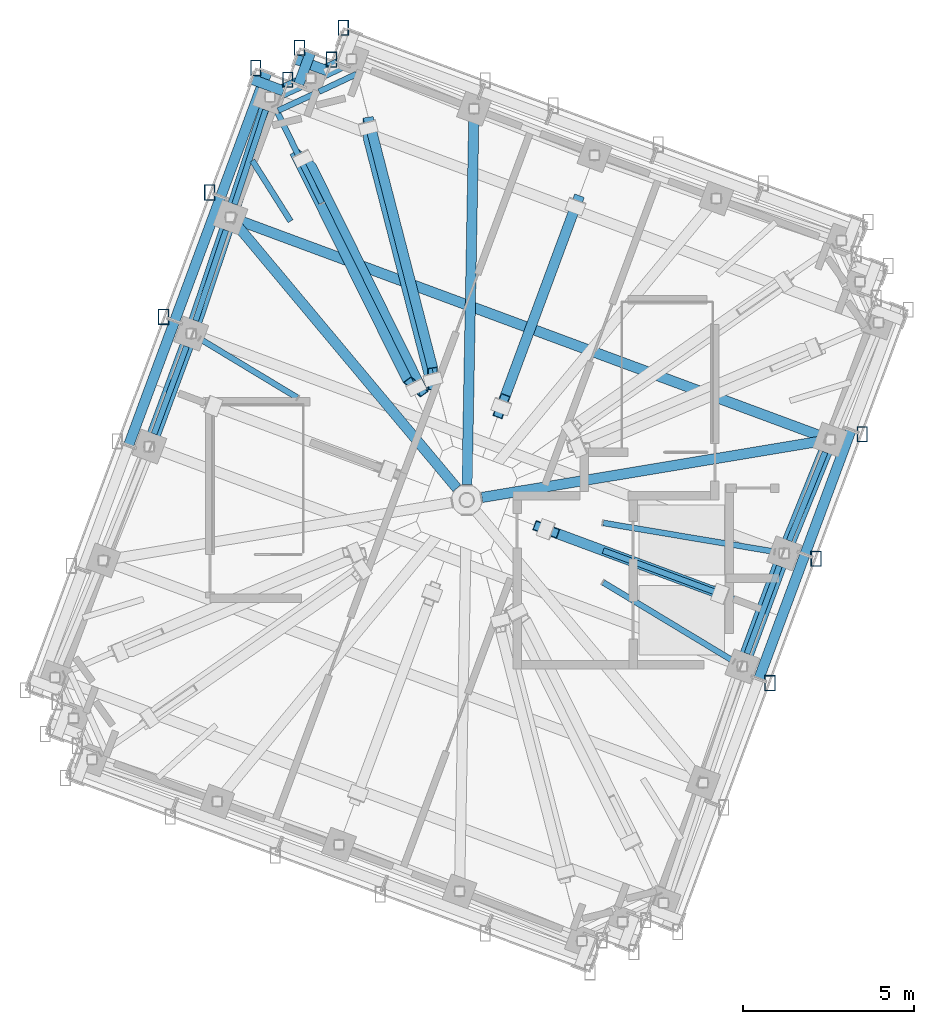
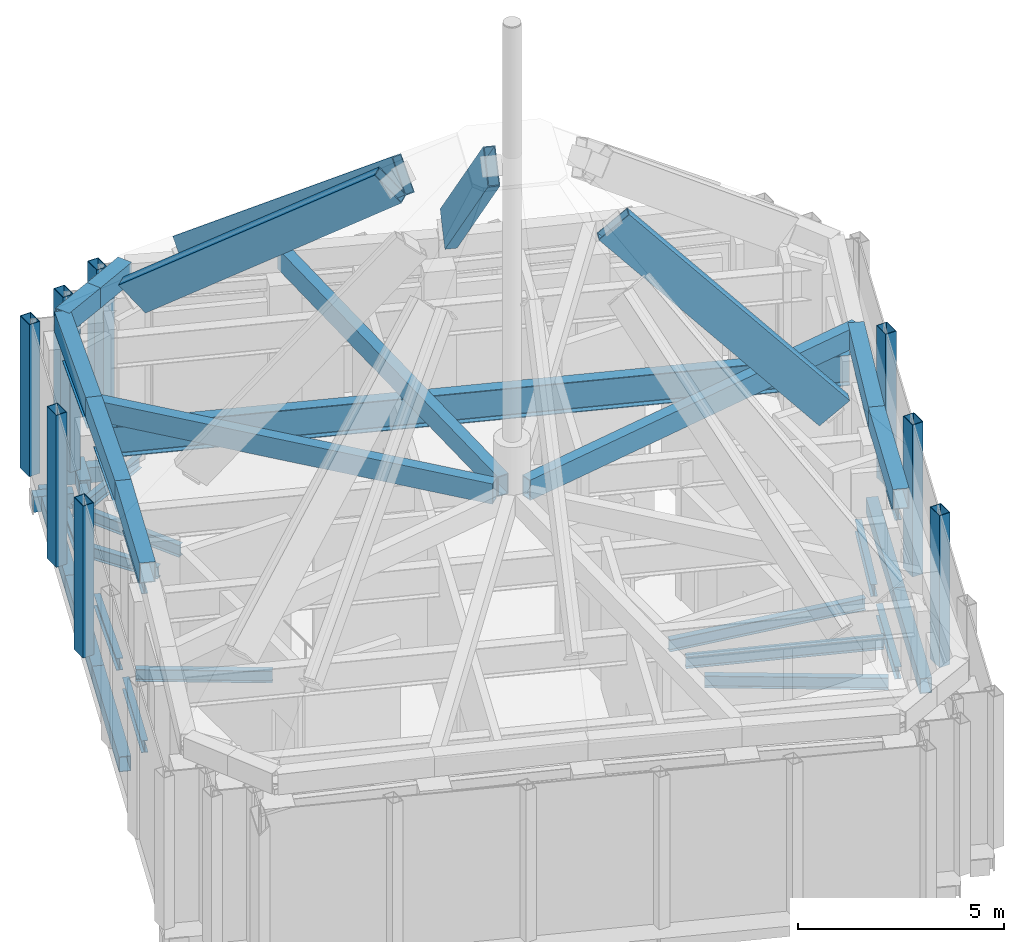
# One storey, part 3 of 14: 29 beams, 22 members, 14 elements without a shape of their own.
"""IFC4 building model written with IfcOpenShell, lengths in metres."""

from ifc_helpers import new_model, si_unit, direction, frame, origin, origin_2d, place, context, subcontext, project, spatial, hollow_rectangle, i_section, extrude, material, material_profile, profile_set, type_object, element, aggregate, save


model = new_model("IFC4")

# Units and contexts
model_context = context("Model", 3, precision=1e-05, world=origin(), true_north=direction((0.0, 1.0)))
body_context = subcontext(model_context, "Body", "Model", "MODEL_VIEW")
ifc_project = project(units=[si_unit("LENGTHUNIT", "METRE"), si_unit("AREAUNIT", "SQUARE_METRE"), si_unit("VOLUMEUNIT", "CUBIC_METRE"), si_unit("PLANEANGLEUNIT", "RADIAN"), si_unit("MASSUNIT", "GRAM", prefix="KILO")], contexts=[model_context])

# Site, building, storey
site_placement = place(None, origin())
site = spatial("IfcSite", under=ifc_project, at=site_placement, CompositionType="ELEMENT")
building_placement = place(site_placement, origin())
building = spatial("IfcBuilding", under=site, at=building_placement, Name="Cantera Rosa Tower", CompositionType="ELEMENT")
storey_placement = place(building_placement, frame((0.0, 0.0, 374.199951171875)))
storey = spatial("IfcBuildingStorey", under=building, at=storey_placement, Name="L84", CompositionType="ELEMENT", Elevation=374.199951171875)

# Curtain wall, member
ifc_material_1 = material(Name="Aluminium frame with clear glass", Category="aluminium")
curtain_wall_type = type_object("IfcCurtainWallType", Name="CW4 CROWN GLAZING", PredefinedType="NOTDEFINED", material=ifc_material_1)
curtain_wall_1_placement = place(storey_placement, origin())
curtain_wall_1 = element("IfcCurtainWall", 1, at=curtain_wall_1_placement, inside=storey, type_object=curtain_wall_type, Name="CW4 L84-06", PredefinedType="NOTDEFINED")
ifc_material_2 = material(Name="Steel S355J2 (EN 10025-2)", Category="steel")
ifc_material_profile_1 = material_profile(ifc_material_2, hollow_rectangle(XDim=0.300048828125, YDim=0.449951171875, WallThickness=0.01611328125, at=origin_2d()), Name="CROWN FRAME MULLION RHS 300x450x16")
ifc_profile_set_1 = profile_set([ifc_material_profile_1], Name="Steel S355J2 (EN 10025-2)")
member_type_1 = type_object("IfcMemberType", Name="CROWN FRAME MULLION RHS 300x450x16", PredefinedType="MULLION", material=ifc_profile_set_1)
member_1_placement = place(storey_placement, frame((-3.61474609375, 13.84375, 0.0), z_axis=(0.0, 0.0, 1.0), x_axis=(1.0, 0.0, 0.0)))
member_1 = element("IfcMember", 2, at=member_1_placement, type_object=member_type_1, Name="CROWN FRAME rib L84-06", PredefinedType="MULLION", context=body_context, shape_type="SweptSolid", body=[
    extrude(hollow_rectangle(XDim=0.300048828125, YDim=0.449951171875, WallThickness=0.01611328125, at=origin_2d()), origin(), (0.0, 0.0, 1.0), 4.5),
])
aggregate(curtain_wall_1, [member_1])

curtain_wall_2_placement = place(storey_placement, origin())
curtain_wall_2 = element("IfcCurtainWall", 3, at=curtain_wall_2_placement, inside=storey, type_object=curtain_wall_type, Name="CW4 L84-07", PredefinedType="NOTDEFINED")
member_2_placement = place(storey_placement, frame((-3.96240234375, 12.906005859375, 0.0), z_axis=(0.0, 0.0, 1.0), x_axis=(1.0, 0.0, 0.0)))
member_2 = element("IfcMember", 4, at=member_2_placement, type_object=member_type_1, Name="CROWN FRAME rib L84-07", PredefinedType="MULLION", context=body_context, shape_type="SweptSolid", body=[
    extrude(hollow_rectangle(XDim=0.300048828125, YDim=0.449951171875, WallThickness=0.01611328125, at=origin_2d()), origin(), (0.0, 0.0, 1.0), 4.5),
])

curtain_wall_3_placement = place(storey_placement, origin())
curtain_wall_3 = element("IfcCurtainWall", 5, at=curtain_wall_3_placement, inside=storey, type_object=curtain_wall_type, Name="CW4 L84-08", PredefinedType="NOTDEFINED")
member_3_placement = place(storey_placement, frame((-4.89990234375, 13.25341796875, 0.0), z_axis=(0.0, 0.0, 1.0), x_axis=(1.0, 0.0, 0.0)))
member_3 = element("IfcMember", 6, at=member_3_placement, type_object=member_type_1, Name="CROWN FRAME rib L84-08", PredefinedType="MULLION", context=body_context, shape_type="SweptSolid", body=[
    extrude(hollow_rectangle(XDim=0.300048828125, YDim=0.449951171875, WallThickness=0.01611328125, at=origin_2d()), origin(), (0.0, 0.0, 1.0), 4.5),
])

curtain_wall_4_placement = place(storey_placement, origin())
curtain_wall_4 = element("IfcCurtainWall", 7, at=curtain_wall_4_placement, inside=storey, type_object=curtain_wall_type, Name="CW4 L84-09", PredefinedType="NOTDEFINED")
member_4_placement = place(storey_placement, frame((-5.24755859375, 12.31591796875, 0.0), z_axis=(0.0, 0.0, 1.0), x_axis=(1.0, 0.0, 0.0)))
member_4 = element("IfcMember", 8, at=member_4_placement, type_object=member_type_1, Name="CROWN FRAME rib L84-09", PredefinedType="MULLION", context=body_context, shape_type="SweptSolid", body=[
    extrude(hollow_rectangle(XDim=0.300048828125, YDim=0.449951171875, WallThickness=0.01611328125, at=origin_2d()), origin(), (0.0, 0.0, 1.0), 4.5),
])

curtain_wall_5_placement = place(storey_placement, origin())
curtain_wall_5 = element("IfcCurtainWall", 9, at=curtain_wall_5_placement, inside=storey, type_object=curtain_wall_type, Name="CW4 L84-10", PredefinedType="NOTDEFINED")
member_5_placement = place(storey_placement, frame((-6.18505859375, 12.663330078125, 0.0), z_axis=(0.0, 0.0, 1.0), x_axis=(1.0, 0.0, 0.0)))
member_5 = element("IfcMember", 10, at=member_5_placement, type_object=member_type_1, Name="CROWN FRAME rib L84-10", PredefinedType="MULLION", context=body_context, shape_type="SweptSolid", body=[
    extrude(hollow_rectangle(XDim=0.300048828125, YDim=0.449951171875, WallThickness=0.01611328125, at=origin_2d()), origin(), (0.0, 0.0, 1.0), 4.5),
])

curtain_wall_6_placement = place(storey_placement, origin())
curtain_wall_6 = element("IfcCurtainWall", 11, at=curtain_wall_6_placement, inside=storey, type_object=curtain_wall_type, Name="CW4 L84-11", PredefinedType="NOTDEFINED")
member_6_placement = place(storey_placement, frame((-7.536865234375, 9.015625, 0.0), z_axis=(0.0, 0.0, 1.0), x_axis=(1.0, 0.0, 0.0)))
member_6 = element("IfcMember", 12, at=member_6_placement, type_object=member_type_1, Name="CROWN FRAME rib L84-11", PredefinedType="MULLION", context=body_context, shape_type="SweptSolid", body=[
    extrude(hollow_rectangle(XDim=0.300048828125, YDim=0.449951171875, WallThickness=0.01611328125, at=origin_2d()), origin(), (0.0, 0.0, 1.0), 4.5),
])

curtain_wall_7_placement = place(storey_placement, origin())
curtain_wall_7 = element("IfcCurtainWall", 13, at=curtain_wall_7_placement, inside=storey, type_object=curtain_wall_type, Name="CW4 L84-12", PredefinedType="NOTDEFINED")
member_7_placement = place(storey_placement, frame((-8.888671875, 5.3681640625, 0.0), z_axis=(0.0, 0.0, 1.0), x_axis=(1.0, 0.0, 0.0)))
member_7 = element("IfcMember", 14, at=member_7_placement, type_object=member_type_1, Name="CROWN FRAME rib L84-12", PredefinedType="MULLION", context=body_context, shape_type="SweptSolid", body=[
    extrude(hollow_rectangle(XDim=0.300048828125, YDim=0.449951171875, WallThickness=0.01611328125, at=origin_2d()), origin(), (0.0, 0.0, 1.0), 4.5),
])

curtain_wall_8_placement = place(storey_placement, origin())
curtain_wall_8 = element("IfcCurtainWall", 15, at=curtain_wall_8_placement, inside=storey, type_object=curtain_wall_type, Name="CW4 L84-30", PredefinedType="NOTDEFINED")
member_8_placement = place(storey_placement, frame((8.888671875, -5.3681640625, 0.0), z_axis=(0.0, 0.0, 1.0), x_axis=(1.0, 0.0, 0.0)))
member_8 = element("IfcMember", 16, at=member_8_placement, type_object=member_type_1, Name="CROWN FRAME rib L84-30", PredefinedType="MULLION", context=body_context, shape_type="SweptSolid", body=[
    extrude(hollow_rectangle(XDim=0.300048828125, YDim=0.449951171875, WallThickness=0.01611328125, at=origin_2d()), origin(), (0.0, 0.0, 1.0), 4.5),
])

curtain_wall_9_placement = place(storey_placement, origin())
curtain_wall_9 = element("IfcCurtainWall", 17, at=curtain_wall_9_placement, inside=storey, type_object=curtain_wall_type, Name="CW4 L84-31", PredefinedType="NOTDEFINED")
member_9_placement = place(storey_placement, frame((10.240234375, -1.720458984375, 0.0), z_axis=(0.0, 0.0, 1.0), x_axis=(1.0, 0.0, 0.0)))
member_9 = element("IfcMember", 18, at=member_9_placement, type_object=member_type_1, Name="CROWN FRAME rib L84-31", PredefinedType="MULLION", context=body_context, shape_type="SweptSolid", body=[
    extrude(hollow_rectangle(XDim=0.300048828125, YDim=0.449951171875, WallThickness=0.01611328125, at=origin_2d()), origin(), (0.0, 0.0, 1.0), 4.5),
])

curtain_wall_10_placement = place(storey_placement, origin())
curtain_wall_10 = element("IfcCurtainWall", 19, at=curtain_wall_10_placement, inside=storey, type_object=curtain_wall_type, Name="CW4 L84-32", PredefinedType="NOTDEFINED")
member_10_placement = place(storey_placement, frame((11.592041015625, 1.927001953125, 0.0), z_axis=(0.0, 0.0, 1.0), x_axis=(1.0, 0.0, 0.0)))
member_10 = element("IfcMember", 20, at=member_10_placement, type_object=member_type_1, Name="CROWN FRAME rib L84-32", PredefinedType="MULLION", context=body_context, shape_type="SweptSolid", body=[
    extrude(hollow_rectangle(XDim=0.300048828125, YDim=0.449951171875, WallThickness=0.01611328125, at=origin_2d()), origin(), (0.0, 0.0, 1.0), 4.5),
])
aggregate(curtain_wall_10, [member_10])

# Member
ifc_material_3 = material(Name="Steel S355J2 (EN 10025-2)", Category="steel")
ifc_material_profile_2 = material_profile(ifc_material_3, hollow_rectangle(XDim=0.300048828125, YDim=0.449951171875, WallThickness=0.01611328125, at=origin_2d()), Name="CROWN FRAME PURLIN RHS 300x450x16")
ifc_profile_set_2 = profile_set([ifc_material_profile_2], Name="Steel S355J2 (EN 10025-2)")
member_type_2 = type_object("IfcMemberType", Name="CROWN FRAME PURLIN RHS 300x450x16", PredefinedType="PURLIN", material=ifc_profile_set_2)
member_11_placement = place(storey_placement, frame((-4.083984375, 12.577880859375, -0.675048828125), z_axis=(-0.937686888491, 0.347481365188, 0.0), x_axis=(-0.347481365188, -0.937686888491, 0.0)))
member_11 = element("IfcMember", 21, at=member_11_placement, type_object=member_type_2, Name="CROWN FRAME purlin L84-07", PredefinedType="PURLIN", context=body_context, shape_type="SweptSolid", body=[
    extrude(hollow_rectangle(XDim=0.300048828125, YDim=0.449951171875, WallThickness=0.01611328125, at=origin_2d()), origin(), (0.0, 0.0, 1.0), 0.999755859375),
])

aggregate(curtain_wall_2, [member_2, member_11])

member_12_placement = place(storey_placement, frame((-4.57177734375, 13.1318359375, -0.675048828125), z_axis=(-0.347481365188, -0.937686888491, 0.0), x_axis=(0.937686888491, -0.347481365188, 0.0)))
member_12 = element("IfcMember", 22, at=member_12_placement, type_object=member_type_2, Name="CROWN FRAME purlin L84-08", PredefinedType="PURLIN", context=body_context, shape_type="SweptSolid", body=[
    extrude(hollow_rectangle(XDim=0.300048828125, YDim=0.449951171875, WallThickness=0.01611328125, at=origin_2d()), origin(), (0.0, 0.0, 1.0), 0.999755859375),
])

aggregate(curtain_wall_3, [member_3, member_12])

member_13_placement = place(storey_placement, frame((-5.369140625, 11.987548828125, -0.675048828125), z_axis=(-0.937636814806, 0.347616460371, 0.0), x_axis=(-0.347616460371, -0.937636814806, 0.0)))
member_13 = element("IfcMember", 23, at=member_13_placement, type_object=member_type_2, Name="CROWN FRAME purlin L84-09", PredefinedType="PURLIN", context=body_context, shape_type="SweptSolid", body=[
    extrude(hollow_rectangle(XDim=0.300048828125, YDim=0.449951171875, WallThickness=0.01611328125, at=origin_2d()), origin(), (0.0, 0.0, 1.0), 1.0),
])

aggregate(curtain_wall_4, [member_4, member_13])

member_14_placement = place(storey_placement, frame((-5.85693359375, 12.541748046875, -0.675048828125), z_axis=(-0.347496266948, -0.937681366167, 0.0), x_axis=(0.937681366167, -0.347496266948, 0.0)))
member_14 = element("IfcMember", 24, at=member_14_placement, type_object=member_type_2, Name="CROWN FRAME purlin L84-10", PredefinedType="PURLIN", context=body_context, shape_type="SweptSolid", body=[
    extrude(hollow_rectangle(XDim=0.300048828125, YDim=0.449951171875, WallThickness=0.01611328125, at=origin_2d()), origin(), (0.0, 0.0, 1.0), 3.89013671875),
])

aggregate(curtain_wall_5, [member_5, member_14])

member_15_placement = place(storey_placement, frame((-7.208740234375, 8.89404296875, -0.675048828125), z_axis=(-0.347461532759, -0.937694237613, 0.0), x_axis=(0.937694237613, -0.347461532759, 0.0)))
member_15 = element("IfcMember", 25, at=member_15_placement, type_object=member_type_2, Name="CROWN FRAME purlin L84-11", PredefinedType="PURLIN", context=body_context, shape_type="SweptSolid", body=[
    extrude(hollow_rectangle(XDim=0.300048828125, YDim=0.449951171875, WallThickness=0.01611328125, at=origin_2d()), origin(), (0.0, 0.0, 1.0), 3.889892578125),
])

aggregate(curtain_wall_6, [member_6, member_15])

member_16_placement = place(storey_placement, frame((-8.560302734375, 5.24658203125, -0.675048828125), z_axis=(-0.347496266948, -0.937681366167, 0.0), x_axis=(0.937681366167, -0.347496266948, 0.0)))
member_16 = element("IfcMember", 26, at=member_16_placement, type_object=member_type_2, Name="CROWN FRAME purlin L84-12", PredefinedType="PURLIN", context=body_context, shape_type="SweptSolid", body=[
    extrude(hollow_rectangle(XDim=0.300048828125, YDim=0.449951171875, WallThickness=0.01611328125, at=origin_2d()), origin(), (0.0, 0.0, 1.0), 3.89013671875),
])

aggregate(curtain_wall_7, [member_7, member_16])

member_17_placement = place(storey_placement, frame((8.560302734375, -5.24658203125, -0.675048828125), z_axis=(0.347496266948, 0.937681366167, 0.0), x_axis=(-0.937681366167, 0.347496266948, 0.0)))
member_17 = element("IfcMember", 27, at=member_17_placement, type_object=member_type_2, Name="CROWN FRAME purlin L84-30", PredefinedType="PURLIN", context=body_context, shape_type="SweptSolid", body=[
    extrude(hollow_rectangle(XDim=0.300048828125, YDim=0.449951171875, WallThickness=0.01611328125, at=origin_2d()), origin(), (0.0, 0.0, 1.0), 3.89013671875),
])

aggregate(curtain_wall_8, [member_8, member_17])

member_18_placement = place(storey_placement, frame((9.912109375, -1.598876953125, -0.675048828125), z_axis=(0.347441084572, 0.937701814412, 0.0), x_axis=(-0.937701814412, 0.347441084572, 0.0)))
member_18 = element("IfcMember", 28, at=member_18_placement, type_object=member_type_2, Name="CROWN FRAME purlin L84-31", PredefinedType="PURLIN", context=body_context, shape_type="SweptSolid", body=[
    extrude(hollow_rectangle(XDim=0.300048828125, YDim=0.449951171875, WallThickness=0.01611328125, at=origin_2d()), origin(), (0.0, 0.0, 1.0), 3.89013671875),
])

aggregate(curtain_wall_9, [member_9, member_18])

# Curtain wall, member
curtain_wall_11_placement = place(storey_placement, origin())
curtain_wall_11 = element("IfcCurtainWall", 29, at=curtain_wall_11_placement, inside=storey, type_object=curtain_wall_type, Name="CW4 L84-05", PredefinedType="NOTDEFINED")
ifc_material_4 = material(Name="Steel S355J2 (EN 10025-2)", Category="steel")
ifc_material_profile_3 = material_profile(ifc_material_4, hollow_rectangle(XDim=0.300048828125, YDim=1.0, WallThickness=0.02490234375, at=origin_2d()), Name="CROWN HIP RAFTER RHS 300x1000x25")
ifc_profile_set_3 = profile_set([ifc_material_profile_3], Name="Steel S355J2 (EN 10025-2)")
member_type_3 = type_object("IfcMemberType", Name="CROWN HIP RAFTER RHS 300x1000x25", PredefinedType="RAFTER", material=ifc_profile_set_3)
member_19_placement = place(storey_placement, frame((7.417724609375, -2.748779296875, 6.37646484375), z_axis=(-0.620635939149, 0.229983206286, 0.749612403755), x_axis=(0.347471184269, 0.937690661201, 1.2e-11)))
member_19 = element("IfcMember", 30, at=member_19_placement, type_object=member_type_3, Name="CROWN FRAME rib L84-05", PredefinedType="RAFTER", context=body_context, shape_type="SweptSolid", body=[
    extrude(hollow_rectangle(XDim=0.300048828125, YDim=1.0, WallThickness=0.02490234375, at=origin_2d()), origin(), (0.0, 0.0, 1.0), 8.1962890625),
])
aggregate(curtain_wall_11, [member_19])

curtain_wall_12_placement = place(storey_placement, origin())
curtain_wall_12 = element("IfcCurtainWall", 31, at=curtain_wall_12_placement, inside=storey, type_object=curtain_wall_type, Name="CW4 L84-08", PredefinedType="NOTDEFINED")
member_20_placement = place(storey_placement, frame((3.18310546875, 8.58984375, 6.3505859375), z_axis=(-0.247322165578, -0.667415373356, 0.702416162842), x_axis=(-0.937688671948, 0.347476552448, 0.0)))
member_20 = element("IfcMember", 32, at=member_20_placement, type_object=member_type_3, Name="CROWN FRAME rib L84-08", PredefinedType="RAFTER", context=body_context, shape_type="SweptSolid", body=[
    extrude(hollow_rectangle(XDim=0.300048828125, YDim=1.0, WallThickness=0.02490234375, at=origin_2d()), origin(), (0.0, 0.0, 1.0), 8.7470703125),
])
aggregate(curtain_wall_12, [member_20])

curtain_wall_13_placement = place(storey_placement, origin())
curtain_wall_13 = element("IfcCurtainWall", 33, at=curtain_wall_13_placement, inside=storey, type_object=curtain_wall_type, Name="CW4 L84-09", PredefinedType="NOTDEFINED")
member_21_placement = place(storey_placement, frame((-2.884765625, 10.8974609375, 6.3212890625), z_axis=(0.193700940201, -0.752283305283, 0.629721981797), x_axis=(-0.98097822792, -0.156837406577, 0.11438419578)))
member_21 = element("IfcMember", 34, at=member_21_placement, type_object=member_type_3, Name="CROWN FRAME rib L84-09", PredefinedType="RAFTER", context=body_context, shape_type="SweptSolid", body=[
    extrude(hollow_rectangle(XDim=0.300048828125, YDim=1.0, WallThickness=0.02490234375, at=origin_2d()), origin(), (0.0, 0.0, 1.0), 9.7568359375),
])
aggregate(curtain_wall_13, [member_21])

curtain_wall_14_placement = place(storey_placement, origin())
curtain_wall_14 = element("IfcCurtainWall", 35, at=curtain_wall_14_placement, inside=storey, type_object=curtain_wall_type, Name="CW4 L84-10", PredefinedType="NOTDEFINED")
member_22_placement = place(storey_placement, frame((-4.802978515625, 9.9912109375, 6.333251953125), z_axis=(0.342749623416, -0.691337692597, 0.636062017764), x_axis=(-0.792066043605, -0.576729857071, -0.200035133241)))
member_22 = element("IfcMember", 36, at=member_22_placement, type_object=member_type_3, Name="CROWN FRAME rib L84-10", PredefinedType="RAFTER", context=body_context, shape_type="SweptSolid", body=[
    extrude(hollow_rectangle(XDim=0.300048828125, YDim=1.0, WallThickness=0.02490234375, at=origin_2d()), origin(), (0.0, 0.0, 1.0), 9.659423828125),
])
aggregate(curtain_wall_14, [member_22])

# Beams
ifc_material_5 = material(Name="Steel S355J2 (EN 10025-2)", Category="steel")
ifc_material_profile_4 = material_profile(ifc_material_5, hollow_rectangle(XDim=0.39990234375, YDim=0.60009765625, WallThickness=0.02490234375, at=origin_2d()), Name="CROWN RING BOX 400x600x25")
ifc_profile_set_4 = profile_set([ifc_material_profile_4], Name="Steel S355J2 (EN 10025-2)")
beam_type_1 = type_object("IfcBeamType", Name="CROWN RING BOX 400x600x25", PredefinedType="BEAM", material=ifc_profile_set_4)
beam_1_placement = place(storey_placement, frame((8.075439453125, -4.876953125, 4.800048828125), z_axis=(0.347471843073, 0.937690417073, 0.0), x_axis=(-0.937690417073, 0.347471843073, 0.0)))
element("IfcBeam", 37, at=beam_1_placement, inside=storey, type_object=beam_type_1, Name="CROWN RING RR-12", PredefinedType="BEAM", context=body_context, shape_type="SweptSolid", body=[
    extrude(hollow_rectangle(XDim=0.39990234375, YDim=0.60009765625, WallThickness=0.02490234375, at=origin_2d()), origin(), (0.0, 0.0, 1.0), 3.5341796875),
])
beam_2_placement = place(storey_placement, frame((9.303466796875, -1.56298828125, 4.800048828125), z_axis=(0.37561059524, 0.926777578896, 0.0), x_axis=(-0.926777578896, 0.37561059524, 0.0)))
element("IfcBeam", 38, at=beam_2_placement, inside=storey, type_object=beam_type_1, Name="CROWN RING RR-13", PredefinedType="BEAM", context=body_context, shape_type="SweptSolid", body=[
    extrude(hollow_rectangle(XDim=0.39990234375, YDim=0.60009765625, WallThickness=0.02490234375, at=origin_2d()), origin(), (0.0, 0.0, 1.0), 3.59765625),
])
beam_3_placement = place(storey_placement, frame((-3.374755859375, 12.924560546875, 4.800048828125), z_axis=(-0.905027969585, -0.425352059205, 0.0), x_axis=(0.425352059205, -0.905027969585, 0.0)))
element("IfcBeam", 39, at=beam_3_placement, inside=storey, type_object=beam_type_1, Name="CROWN RING RR-21", PredefinedType="BEAM", context=body_context, shape_type="SweptSolid", body=[
    extrude(hollow_rectangle(XDim=0.39990234375, YDim=0.60009765625, WallThickness=0.02490234375, at=origin_2d()), origin(), (0.0, 0.0, 1.0), 1.3212890625),
])
beam_4_placement = place(storey_placement, frame((-4.570556640625, 12.362548828125, 4.800048828125), z_axis=(-0.907981050678, -0.419011230888, 0.0), x_axis=(0.419011230888, -0.907981050678, 0.0)))
element("IfcBeam", 40, at=beam_4_placement, inside=storey, type_object=beam_type_1, Name="CROWN RING RR-22", PredefinedType="BEAM", context=body_context, shape_type="SweptSolid", body=[
    extrude(hollow_rectangle(XDim=0.39990234375, YDim=0.60009765625, WallThickness=0.02490234375, at=origin_2d()), origin(), (0.0, 0.0, 1.0), 1.319091796875),
])
beam_5_placement = place(storey_placement, frame((-5.768310546875, 11.809814453125, 4.800048828125), z_axis=(-0.312552183355, -0.949900590946, 0.0), x_axis=(0.949900590946, -0.312552183355, 0.0)))
element("IfcBeam", 41, at=beam_5_placement, inside=storey, type_object=beam_type_1, Name="CROWN RING RR-23", PredefinedType="BEAM", context=body_context, shape_type="SweptSolid", body=[
    extrude(hollow_rectangle(XDim=0.39990234375, YDim=0.60009765625, WallThickness=0.02490234375, at=origin_2d()), origin(), (0.0, 0.0, 1.0), 3.708740234375),
])
beam_6_placement = place(storey_placement, frame((-6.927490234375, 8.286865234375, 4.800048828125), z_axis=(-0.31905592816, -0.947735888687, 0.0), x_axis=(0.947735888687, -0.31905592816, 0.0)))
element("IfcBeam", 42, at=beam_6_placement, inside=storey, type_object=beam_type_1, Name="CROWN RING RR-24", PredefinedType="BEAM", context=body_context, shape_type="SweptSolid", body=[
    extrude(hollow_rectangle(XDim=0.39990234375, YDim=0.60009765625, WallThickness=0.02490234375, at=origin_2d()), origin(), (0.0, 0.0, 1.0), 3.597900390625),
])
beam_7_placement = place(storey_placement, frame((-8.075439453125, 4.876953125, 4.800048828125), z_axis=(-0.347471843073, -0.937690417073, 0.0), x_axis=(0.937690417073, -0.347471843073, 0.0)))
element("IfcBeam", 43, at=beam_7_placement, inside=storey, type_object=beam_type_1, Name="CROWN RING RR-25", PredefinedType="BEAM", context=body_context, shape_type="SweptSolid", body=[
    extrude(hollow_rectangle(XDim=0.39990234375, YDim=0.60009765625, WallThickness=0.02490234375, at=origin_2d()), origin(), (0.0, 0.0, 1.0), 3.5341796875),
])
ifc_material_6 = material(Name="Steel S355J2 (EN 10025-2)", Category="steel")
ifc_material_profile_5 = material_profile(ifc_material_6, hollow_rectangle(XDim=0.300048828125, YDim=0.60009765625, WallThickness=0.02490234375, at=origin_2d()), Name="CROWN TIE BOX 300x600x25")
ifc_profile_set_5 = profile_set([ifc_material_profile_5], Name="Steel S355J2 (EN 10025-2)")
beam_type_2 = type_object("IfcBeamType", Name="CROWN TIE BOX 300x600x25", PredefinedType="BEAM", material=ifc_profile_set_5)
beam_8_placement = place(storey_placement, frame((10.65478515625, 1.771240234375, 4.800048828125), z_axis=(-0.986461411254, -0.163993548978, 0.0), x_axis=(0.163993548978, -0.986461411254, 0.0)))
element("IfcBeam", 44, at=beam_8_placement, inside=storey, type_object=beam_type_2, Name="CROWN TIE 01A", PredefinedType="BEAM", context=body_context, shape_type="SweptSolid", body=[
    extrude(hollow_rectangle(XDim=0.300048828125, YDim=0.60009765625, WallThickness=0.02490234375, at=origin_2d()), origin(), (0.0, 0.0, 1.0), 10.35107421875),
])
beam_9_placement = place(storey_placement, frame((0.212158203125, 11.46923828125, 4.800048828125), z_axis=(-0.018496890361, -0.999828917889, 0.0), x_axis=(0.999828917889, -0.018496890361, 0.0)))
element("IfcBeam", 45, at=beam_9_placement, inside=storey, type_object=beam_type_2, Name="CROWN TIE 03A", PredefinedType="BEAM", context=body_context, shape_type="SweptSolid", body=[
    extrude(hollow_rectangle(XDim=0.300048828125, YDim=0.60009765625, WallThickness=0.02490234375, at=origin_2d()), origin(), (0.0, 0.0, 1.0), 11.021240234375),
])
beam_10_placement = place(storey_placement, frame((-6.927490234375, 8.286865234375, 4.800048828125), z_axis=(0.641373757168, -0.767228586287, 0.0), x_axis=(0.767228586287, 0.641373757168, 0.0)))
element("IfcBeam", 46, at=beam_10_placement, inside=storey, type_object=beam_type_2, Name="CROWN TIE 04A", PredefinedType="BEAM", context=body_context, shape_type="SweptSolid", body=[
    extrude(hollow_rectangle(XDim=0.300048828125, YDim=0.60009765625, WallThickness=0.02490234375, at=origin_2d()), origin(), (0.0, 0.0, 1.0), 10.35107421875),
])
ifc_material_7 = material(Name="Steel ASTM A992 (Fy 345 MPa)", Category="steel")
ifc_material_profile_6 = material_profile(ifc_material_7, i_section(OverallWidth=0.1708984375, OverallDepth=0.35595703125, WebThickness=0.00732421875, FlangeThickness=0.01171875, FilletRadius=0.010009765625, at=origin_2d()), Name="W360X51")
ifc_profile_set_6 = profile_set([ifc_material_profile_6], Name="Steel ASTM A992 (Fy 345 MPa)")
beam_type_3 = type_object("IfcBeamType", Name="STEEL BEAM W360X51", PredefinedType="BEAM", material=ifc_profile_set_6)
beam_11_placement = place(storey_placement, frame((-5.636474609375, 11.5400390625, -0.6279296875), z_axis=(0.438851254222, -0.898559723484, 0.0), x_axis=(0.898559723484, 0.438851254222, 0.0)))
element("IfcBeam", 47, at=beam_11_placement, inside=storey, type_object=beam_type_3, Name="CG-Z6-02 L84", PredefinedType="BEAM", context=body_context, shape_type="SweptSolid", body=[
    extrude(i_section(OverallWidth=0.1708984375, OverallDepth=0.35595703125, WebThickness=0.00732421875, FlangeThickness=0.01171875, FilletRadius=0.010009765625, at=origin_2d()), origin(), (0.0, 0.0, 1.0), 3.160400390625),
])
beam_12_placement = place(storey_placement, frame((-7.818603515625, 4.721923828125, -0.6279296875), z_axis=(0.855995287563, -0.51698362418, 0.0), x_axis=(0.51698362418, 0.855995287563, 0.0)))
element("IfcBeam", 48, at=beam_12_placement, inside=storey, type_object=beam_type_3, Name="CG-Z6-03 L84", PredefinedType="BEAM", context=body_context, shape_type="SweptSolid", body=[
    extrude(i_section(OverallWidth=0.1708984375, OverallDepth=0.35595703125, WebThickness=0.00732421875, FlangeThickness=0.01171875, FilletRadius=0.010009765625, at=origin_2d()), origin(), (0.0, 0.0, 1.0), 3.330810546875),
])
beam_13_placement = place(storey_placement, frame((7.818603515625, -4.721923828125, -0.6279296875), z_axis=(-0.856006870202, 0.516964445747, 0.0), x_axis=(-0.516964445747, -0.856006870202, 0.0)))
element("IfcBeam", 49, at=beam_13_placement, inside=storey, type_object=beam_type_3, Name="CG-Z6-07 L84", PredefinedType="BEAM", context=body_context, shape_type="SweptSolid", body=[
    extrude(i_section(OverallWidth=0.1708984375, OverallDepth=0.35595703125, WebThickness=0.00732421875, FlangeThickness=0.01171875, FilletRadius=0.010009765625, at=origin_2d()), origin(), (0.0, 0.0, 1.0), 4.4609375),
])
beam_14_placement = place(storey_placement, frame((9.007568359375, -1.513427734375, -0.6279296875), z_axis=(-0.986178671965, 0.165685325123, 0.0), x_axis=(-0.165685325123, -0.986178671965, 0.0)))
element("IfcBeam", 50, at=beam_14_placement, inside=storey, type_object=beam_type_3, Name="CG-Z6-08 L84", PredefinedType="BEAM", context=body_context, shape_type="SweptSolid", body=[
    extrude(i_section(OverallWidth=0.1708984375, OverallDepth=0.35595703125, WebThickness=0.00732421875, FlangeThickness=0.01171875, FilletRadius=0.010009765625, at=origin_2d()), origin(), (0.0, 0.0, 1.0), 5.07763671875),
])
beam_15_placement = place(storey_placement, frame((-6.28369140625, 9.94677734375, -0.6279296875), z_axis=(0.534019254939, -0.845472314954, 0.0), x_axis=(0.845472314954, 0.534019254939, 0.0)))
element("IfcBeam", 51, at=beam_15_placement, inside=storey, type_object=beam_type_3, Name="CB-Z6-02 L84", PredefinedType="BEAM", context=body_context, shape_type="SweptSolid", body=[
    extrude(i_section(OverallWidth=0.1708984375, OverallDepth=0.35595703125, WebThickness=0.00732421875, FlangeThickness=0.01171875, FilletRadius=0.010009765625, at=origin_2d()), origin(), (0.0, 0.0, 1.0), 2.098388671875),
])
beam_16_placement = place(storey_placement, frame((8.576904296875, -3.178466796875, -0.6279296875), z_axis=(-0.937672716921, 0.347519605119, 0.0), x_axis=(-0.347519605119, -0.937672716921, 0.0)))
element("IfcBeam", 52, at=beam_16_placement, inside=storey, type_object=beam_type_3, Name="CB-Z6-06 L84", PredefinedType="BEAM", context=body_context, shape_type="SweptSolid", body=[
    extrude(i_section(OverallWidth=0.1708984375, OverallDepth=0.35595703125, WebThickness=0.00732421875, FlangeThickness=0.01171875, FilletRadius=0.010009765625, at=origin_2d()), origin(), (0.0, 0.0, 1.0), 4.881103515625),
])
ifc_material_8 = material(Name="Steel ASTM A992 (Fy 345 MPa)", Category="steel")
ifc_material_profile_7 = material_profile(ifc_material_8, i_section(OverallWidth=0.304931640625, OverallDepth=0.904052734375, WebThickness=0.01513671875, FlangeThickness=0.02001953125, FilletRadius=0.01904296875, at=origin_2d()), Name="W920X201")
ifc_profile_set_7 = profile_set([ifc_material_profile_7], Name="Steel ASTM A992 (Fy 345 MPa)")
beam_type_4 = type_object("IfcBeamType", Name="STEEL BEAM W920X201", PredefinedType="BEAM", material=ifc_profile_set_7)
beam_17_placement = place(storey_placement, frame((10.501953125, 1.82763671875, 3.798095703125), z_axis=(-0.937686728837, 0.347481796018, 0.0), x_axis=(-0.347481796018, -0.937686728837, 0.0)))
element("IfcBeam", 53, at=beam_17_placement, inside=storey, type_object=beam_type_4, Name="RG-Z6-05 L84", PredefinedType="BEAM", context=body_context, shape_type="SweptSolid", body=[
    extrude(i_section(OverallWidth=0.304931640625, OverallDepth=0.904052734375, WebThickness=0.01513671875, FlangeThickness=0.02001953125, FilletRadius=0.01904296875, at=origin_2d()), origin(), (0.0, 0.0, 1.0), 18.425048828125),
])
ifc_material_9 = material(Name="Steel ASTM A992 (Fy 345 MPa)", Category="steel")
ifc_material_profile_8 = material_profile(ifc_material_9, i_section(OverallWidth=0.1708984375, OverallDepth=0.35595703125, WebThickness=0.00732421875, FlangeThickness=0.01171875, FilletRadius=0.010009765625, at=origin_2d()), Name="W360X51")
ifc_profile_set_8 = profile_set([ifc_material_profile_8], Name="Steel ASTM A992 (Fy 345 MPa)")
beam_type_5 = type_object("IfcBeamType", Name="STEEL SPANDREL BEAM W360X51", PredefinedType="SPANDREL", material=ifc_profile_set_8)
beam_18_placement = place(storey_placement, frame((-3.232421875, 12.483154296875, -0.6279296875), z_axis=(-0.905019817675, -0.425369403714, 0.0), x_axis=(0.425369403714, -0.905019817675, 0.0)))
element("IfcBeam", 54, at=beam_18_placement, inside=storey, type_object=beam_type_5, Name="CEB-Z6-05 L84", PredefinedType="SPANDREL", context=body_context, shape_type="SweptSolid", body=[
    extrude(i_section(OverallWidth=0.1708984375, OverallDepth=0.35595703125, WebThickness=0.00732421875, FlangeThickness=0.01171875, FilletRadius=0.010009765625, at=origin_2d()), origin(), (0.0, 0.0, 1.0), 1.2099609375),
])
beam_19_placement = place(storey_placement, frame((-4.428955078125, 11.921142578125, -0.6279296875), z_axis=(-0.907941632249, -0.419096638533, 0.0), x_axis=(0.419096638533, -0.907941632249, 0.0)))
element("IfcBeam", 55, at=beam_19_placement, inside=storey, type_object=beam_type_5, Name="CEB-Z6-06 L84", PredefinedType="SPANDREL", context=body_context, shape_type="SweptSolid", body=[
    extrude(i_section(OverallWidth=0.1708984375, OverallDepth=0.35595703125, WebThickness=0.00732421875, FlangeThickness=0.01171875, FilletRadius=0.010009765625, at=origin_2d()), origin(), (0.0, 0.0, 1.0), 1.20751953125),
])
beam_20_placement = place(storey_placement, frame((-5.893310546875, 11.429443359375, -0.6279296875), z_axis=(-0.312624098096, -0.949876925338, 0.0), x_axis=(0.949876925338, -0.312624098096, 0.0)))
element("IfcBeam", 56, at=beam_20_placement, inside=storey, type_object=beam_type_5, Name="CEB-Z6-07 L84", PredefinedType="SPANDREL", context=body_context, shape_type="SweptSolid", body=[
    extrude(i_section(OverallWidth=0.1708984375, OverallDepth=0.35595703125, WebThickness=0.00732421875, FlangeThickness=0.01171875, FilletRadius=0.010009765625, at=origin_2d()), origin(), (0.0, 0.0, 1.0), 2.908203125),
])
beam_21_placement = place(storey_placement, frame((-7.05517578125, 7.907470703125, -0.6279296875), z_axis=(-0.319080253129, -0.947727699323, 0.0), x_axis=(0.947727699323, -0.319080253129, 0.0)))
element("IfcBeam", 57, at=beam_21_placement, inside=storey, type_object=beam_type_5, Name="CEB-Z6-08 L84", PredefinedType="SPANDREL", context=body_context, shape_type="SweptSolid", body=[
    extrude(i_section(OverallWidth=0.1708984375, OverallDepth=0.35595703125, WebThickness=0.00732421875, FlangeThickness=0.01171875, FilletRadius=0.010009765625, at=origin_2d()), origin(), (0.0, 0.0, 1.0), 2.79736328125),
])
for number, where, z_axis, x_axis, name in (
    (58, (-8.21435546875, 4.501953125, -0.6279296875), (-0.347451042995, -0.937698124516, 0.0), (0.937698124516, -0.347451042995, 0.0), "CEB-Z6-09 L84"),
    (59, (8.21435546875, -4.501953125, -0.6279296875), (0.347451042995, 0.937698124516, 0.0), (-0.937698124516, 0.347451042995, 0.0), "CEB-Z6-22 L84"),
):
    element("IfcBeam", number, at=place(storey_placement, frame(where, z_axis=z_axis, x_axis=x_axis)), inside=storey, type_object=beam_type_5, Name=name, PredefinedType="SPANDREL", context=body_context, shape_type="SweptSolid", body=[
        extrude(i_section(OverallWidth=0.1708984375, OverallDepth=0.35595703125, WebThickness=0.00732421875, FlangeThickness=0.01171875, FilletRadius=0.010009765625, at=origin_2d()), origin(), (0.0, 0.0, 1.0), 2.734130859375),
    ])
beam_22_placement = place(storey_placement, frame((9.45361328125, -1.192138671875, -0.6279296875), z_axis=(0.375630152043, 0.926769652544, 0.0), x_axis=(-0.926769652544, 0.375630152043, 0.0)))
element("IfcBeam", 60, at=beam_22_placement, inside=storey, type_object=beam_type_5, Name="CEB-Z6-23 L84", PredefinedType="SPANDREL", context=body_context, shape_type="SweptSolid", body=[
    extrude(i_section(OverallWidth=0.1708984375, OverallDepth=0.35595703125, WebThickness=0.00732421875, FlangeThickness=0.01171875, FilletRadius=0.010009765625, at=origin_2d()), origin(), (0.0, 0.0, 1.0), 2.79736328125),
])
beam_23_placement = place(storey_placement, frame((-5.893310546875, 11.429443359375, 4.072021484375), z_axis=(-0.312624098096, -0.949876925338, 0.0), x_axis=(0.949876925338, -0.312624098096, 0.0)))
element("IfcBeam", 61, at=beam_23_placement, inside=storey, type_object=beam_type_5, Name="RB-Z6-07 L84", PredefinedType="SPANDREL", context=body_context, shape_type="SweptSolid", body=[
    extrude(i_section(OverallWidth=0.1708984375, OverallDepth=0.35595703125, WebThickness=0.00732421875, FlangeThickness=0.01171875, FilletRadius=0.010009765625, at=origin_2d()), origin(), (0.0, 0.0, 1.0), 2.908203125),
])
beam_24_placement = place(storey_placement, frame((-7.05517578125, 7.907470703125, 4.072021484375), z_axis=(-0.319080253129, -0.947727699323, 0.0), x_axis=(0.947727699323, -0.319080253129, 0.0)))
element("IfcBeam", 62, at=beam_24_placement, inside=storey, type_object=beam_type_5, Name="RB-Z6-08 L84", PredefinedType="SPANDREL", context=body_context, shape_type="SweptSolid", body=[
    extrude(i_section(OverallWidth=0.1708984375, OverallDepth=0.35595703125, WebThickness=0.00732421875, FlangeThickness=0.01171875, FilletRadius=0.010009765625, at=origin_2d()), origin(), (0.0, 0.0, 1.0), 2.79736328125),
])
for number, where, z_axis, x_axis, name in (
    (63, (-8.21435546875, 4.501953125, 4.072021484375), (-0.347451042995, -0.937698124516, 0.0), (0.937698124516, -0.347451042995, 0.0), "RB-Z6-09 L84"),
    (64, (8.21435546875, -4.501953125, 4.072021484375), (0.347451042995, 0.937698124516, 0.0), (-0.937698124516, 0.347451042995, 0.0), "RB-Z6-22 L84"),
):
    element("IfcBeam", number, at=place(storey_placement, frame(where, z_axis=z_axis, x_axis=x_axis)), inside=storey, type_object=beam_type_5, Name=name, PredefinedType="SPANDREL", context=body_context, shape_type="SweptSolid", body=[
        extrude(i_section(OverallWidth=0.1708984375, OverallDepth=0.35595703125, WebThickness=0.00732421875, FlangeThickness=0.01171875, FilletRadius=0.010009765625, at=origin_2d()), origin(), (0.0, 0.0, 1.0), 2.734130859375),
    ])
beam_25_placement = place(storey_placement, frame((9.45361328125, -1.192138671875, 4.072021484375), z_axis=(0.375630152043, 0.926769652544, 0.0), x_axis=(-0.926769652544, 0.375630152043, 0.0)))
element("IfcBeam", 65, at=beam_25_placement, inside=storey, type_object=beam_type_5, Name="RB-Z6-23 L84", PredefinedType="SPANDREL", context=body_context, shape_type="SweptSolid", body=[
    extrude(i_section(OverallWidth=0.1708984375, OverallDepth=0.35595703125, WebThickness=0.00732421875, FlangeThickness=0.01171875, FilletRadius=0.010009765625, at=origin_2d()), origin(), (0.0, 0.0, 1.0), 2.79736328125),
])

save(model, "model.ifc")
